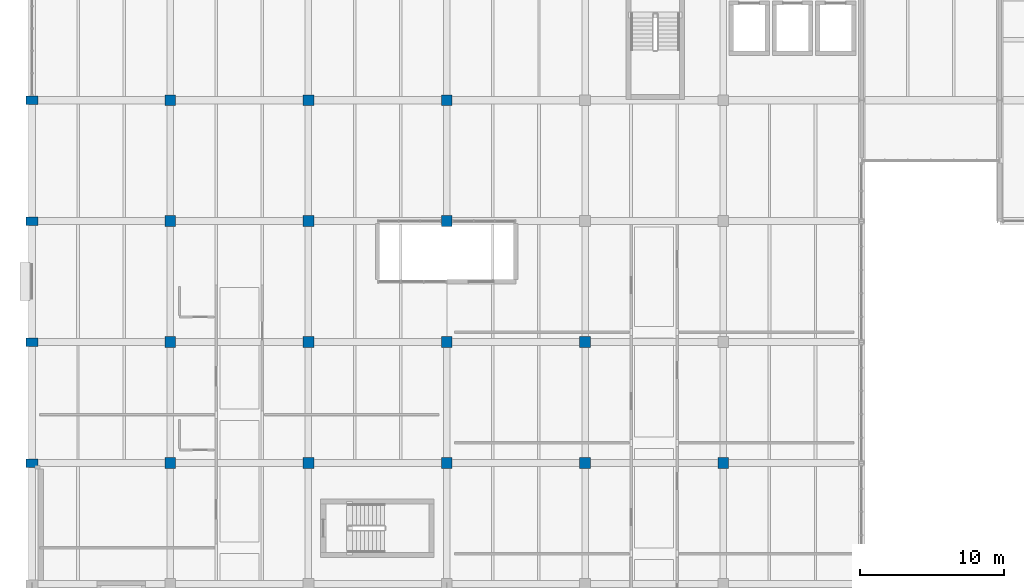
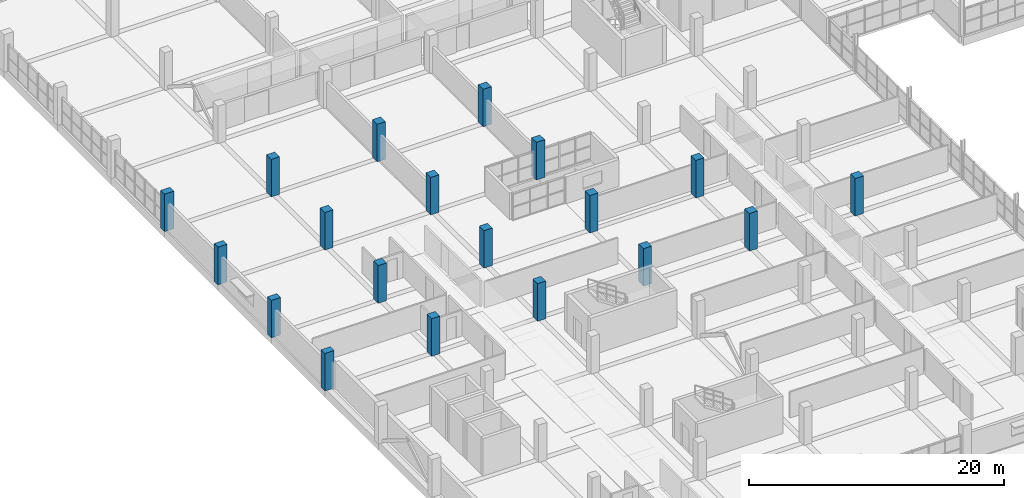
# One storey, part 6 of 147: 19 columns.
"""IFC4 building model written with IfcOpenShell, lengths in metres."""

from ifc_helpers import new_model, si_unit, direction, frame, origin, origin_2d, place, context, subcontext, project, spatial, rectangle, extrude, material, material_profile, profile_set, type_object, element, save


model = new_model("IFC4")

# Units and contexts
model_context = context("Model", 3, precision=1e-05, world=origin(), true_north=direction((0.0, 1.0)))
body_context = subcontext(model_context, "Body", "Model", "MODEL_VIEW")
ifc_project = project(units=[si_unit("LENGTHUNIT", "METRE"), si_unit("AREAUNIT", "SQUARE_METRE"), si_unit("VOLUMEUNIT", "CUBIC_METRE"), si_unit("PLANEANGLEUNIT", "RADIAN"), si_unit("MASSUNIT", "GRAM", prefix="KILO")], contexts=[model_context])

# Site, building, storey
site_placement = place(None, origin())
site = spatial("IfcSite", under=ifc_project, at=site_placement, CompositionType="ELEMENT")
building_placement = place(site_placement, origin())
building = spatial("IfcBuilding", under=site, at=building_placement, Name="Oolite Switchyard Hospital", CompositionType="ELEMENT")
storey_placement = place(building_placement, frame((0.0, 0.0, 9.89990234375)))
storey = spatial("IfcBuildingStorey", under=building, at=storey_placement, Name="L02", CompositionType="ELEMENT", Elevation=9.89990234375)

# Columns
ifc_material = material(Name="Concrete C50/60", Category="concrete")
ifc_material_profile_1 = material_profile(ifc_material, rectangle(XDim=0.75, YDim=0.75, at=origin_2d()), Name="RC750X750")
ifc_profile_set_1 = profile_set([ifc_material_profile_1], Name="Concrete C50/60")
column_type_1 = type_object("IfcColumnType", Name="COL-RC750", PredefinedType="COLUMN", material=ifc_profile_set_1)
for number, where, z_axis, x_axis, name in (
    (1, (9.60009765625, 67.199951171875, 0.0), (0.0, 0.0, 1.0), (1.0, 0.0, 0.0), "L02 Column 661"),
    (2, (9.60009765625, 75.60009765625, 0.0), (0.0, 0.0, 1.0), (1.0, 0.0, 0.0), "L02 Column 662"),
    (3, (9.60009765625, 84.0, 0.0), (0.0, 0.0, 1.0), (1.0, 0.0, 0.0), "L02 Column 663"),
    (4, (9.60009765625, 92.39990234375, 0.0), (0.0, 0.0, 1.0), (1.0, 0.0, 0.0), "L02 Column 664"),
    (5, (19.199951171875, 67.199951171875, 0.0), (0.0, 0.0, 1.0), (1.0, 0.0, 0.0), "L02 Column 674"),
    (6, (19.199951171875, 75.60009765625, 0.0), (0.0, 0.0, 1.0), (1.0, 0.0, 0.0), "L02 Column 675"),
    (7, (19.199951171875, 84.0, 0.0), (0.0, 0.0, 1.0), (1.0, 0.0, 0.0), "L02 Column 676"),
    (8, (19.199951171875, 92.39990234375, 0.0), (0.0, 0.0, 1.0), (1.0, 0.0, 0.0), "L02 Column 677"),
    (9, (28.800048828125, 67.199951171875, 0.0), (0.0, 0.0, 1.0), (1.0, 0.0, 0.0), "L02 Column 687"),
    (10, (28.800048828125, 75.60009765625, 0.0), (0.0, 0.0, 1.0), (1.0, 0.0, 0.0), "L02 Column 688"),
    (11, (28.800048828125, 84.0, 0.0), (0.0, 0.0, 1.0), (1.0, 0.0, 0.0), "L02 Column 689"),
    (12, (28.800048828125, 92.39990234375, 0.0), (0.0, 0.0, 1.0), (1.0, 0.0, 0.0), "L02 Column 690"),
    (13, (38.39990234375, 67.199951171875, 0.0), (0.0, 0.0, 1.0), (1.0, 0.0, 0.0), "L02 Column 700"),
    (14, (38.39990234375, 75.60009765625, 0.0), (0.0, 0.0, 1.0), (1.0, 0.0, 0.0), "L02 Column 701"),
    (15, (48.0, 67.199951171875, 0.0), (0.0, 0.0, 1.0), (1.0, 0.0, 0.0), "L02 Column 713"),
):
    element("IfcColumn", number, at=place(storey_placement, frame(where, z_axis=z_axis, x_axis=x_axis)), inside=storey, type_object=column_type_1, Name=name, PredefinedType="COLUMN", context=body_context, shape_type="SweptSolid", body=[
        extrude(rectangle(XDim=0.75, YDim=0.75, at=origin_2d()), origin(), (0.0, 0.0, 1.0), 3.60009765625),
    ])
ifc_material_profile_2 = material_profile(ifc_material, rectangle(XDim=0.85009765625, YDim=0.60009765625, at=origin_2d()), Name="RC850X600")
ifc_profile_set_2 = profile_set([ifc_material_profile_2], Name="Concrete C50/60")
column_type_2 = type_object("IfcColumnType", Name="COL-RCR850", PredefinedType="COLUMN", material=ifc_profile_set_2)
for number, where, z_axis, x_axis, name in (
    (16, (0.0, 67.199951171875, 0.0), (0.0, 0.0, 1.0), (1.0, 0.0, 0.0), "L02 Column 649"),
    (17, (0.0, 75.60009765625, 0.0), (0.0, 0.0, 1.0), (1.0, 0.0, 0.0), "L02 Column 650"),
    (18, (0.0, 84.0, 0.0), (0.0, 0.0, 1.0), (1.0, 0.0, 0.0), "L02 Column 651"),
    (19, (0.0, 92.39990234375, 0.0), (0.0, 0.0, 1.0), (1.0, 0.0, 0.0), "L02 Column 652"),
):
    element("IfcColumn", number, at=place(storey_placement, frame(where, z_axis=z_axis, x_axis=x_axis)), inside=storey, type_object=column_type_2, Name=name, PredefinedType="COLUMN", context=body_context, shape_type="SweptSolid", body=[
        extrude(rectangle(XDim=0.85009765625, YDim=0.60009765625, at=origin_2d()), origin(), (0.0, 0.0, 1.0), 3.60009765625),
    ])

save(model, "model.ifc")
